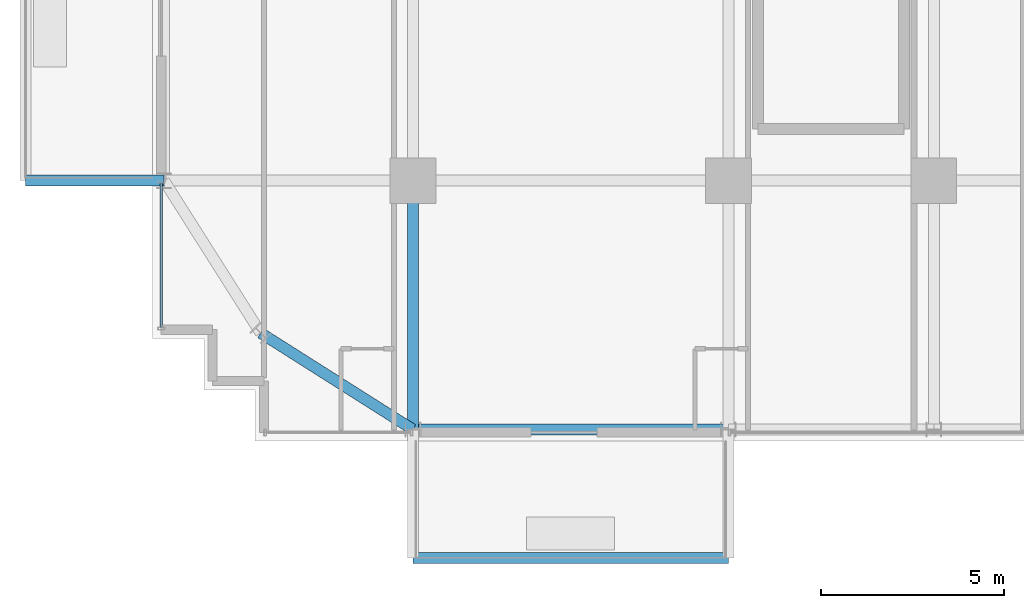
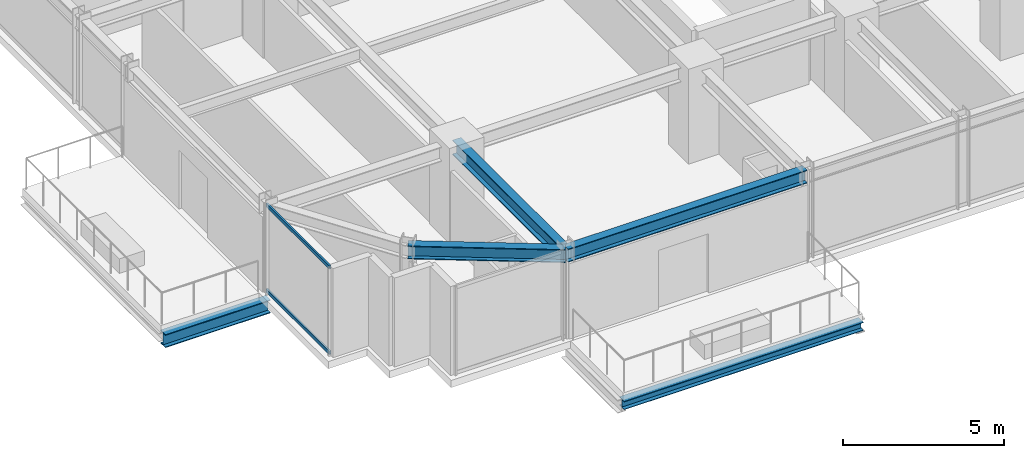
# One storey, part 3 of 32: 5 beams, 2 members, 1 element without a shape of its own.
"""IFC4 building model written with IfcOpenShell, lengths in metres."""

from ifc_helpers import new_model, si_unit, direction, frame, origin, origin_2d, place, context, subcontext, project, spatial, hollow_rectangle, i_section, extrude, source, transform, mapped, material, material_profile, profile_set, type_object, element, aggregate, save


model = new_model("IFC4")

# Units and contexts
model_context = context("Model", 3, precision=1e-05, world=origin(), true_north=direction((0.0, 1.0)))
body_context = subcontext(model_context, "Body", "Model", "MODEL_VIEW")
ifc_project = project(units=[si_unit("LENGTHUNIT", "METRE"), si_unit("AREAUNIT", "SQUARE_METRE"), si_unit("VOLUMEUNIT", "CUBIC_METRE"), si_unit("PLANEANGLEUNIT", "RADIAN"), si_unit("MASSUNIT", "GRAM", prefix="KILO")], contexts=[model_context])

# Site, building, storey
site_placement = place(None, origin())
site = spatial("IfcSite", under=ifc_project, at=site_placement, CompositionType="ELEMENT")
building_placement = place(site_placement, origin())
building = spatial("IfcBuilding", under=site, at=building_placement, Name="Nahalor Promenade Grand Hotel", CompositionType="ELEMENT")
storey_placement = place(building_placement, frame((0.0, 0.0, 110.199951171875)))
storey = spatial("IfcBuildingStorey", under=building, at=storey_placement, Name="L27", CompositionType="ELEMENT", Elevation=110.199951171875)

# Beams
ifc_material_1 = material(Name="Steel S355JR", Category="steel")
ifc_material_profile_1 = material_profile(ifc_material_1, i_section(OverallWidth=0.3, OverallDepth=0.32, WebThickness=0.0115, FlangeThickness=0.0205, at=origin_2d()), Name="HEB 320")
ifc_profile_set_1 = profile_set([ifc_material_profile_1], Name="Steel S355JR")
beam_type_1 = type_object("IfcBeamType", Name="Beam-BalcEdge-HEB320", PredefinedType="SPANDREL", material=ifc_profile_set_1)
shared_shape_1 = source(origin(), body_context, "Body", "SweptSolid", [
    extrude(i_section(OverallWidth=0.3, OverallDepth=0.32, WebThickness=0.0115, FlangeThickness=0.0205, at=origin_2d()), origin(), (0.0, 0.0, 1.0), 8.60009765625),
])
beam_1_placement = place(storey_placement, frame((-17.0, -27.280029296875, -0.43994140625), z_axis=(1.0, 0.0, 0.0), x_axis=(0.0, 1.0, 0.0)))
element("IfcBeam", 1, at=beam_1_placement, inside=storey, type_object=beam_type_1, Name="BM-L27-BC-01-F", PredefinedType="SPANDREL", context=body_context, shape_type="MappedRepresentation", body=[
    mapped(shared_shape_1, transform((0.0, 0.0, 0.0), scale=1.0)),
])
ifc_material_profile_2 = material_profile(ifc_material_1, i_section(OverallWidth=0.3, OverallDepth=0.5, WebThickness=0.0145, FlangeThickness=0.028, at=origin_2d()), Name="HEB 500")
ifc_profile_set_2 = profile_set([ifc_material_profile_2], Name="Steel S355JR")
beam_type_2 = type_object("IfcBeamType", Name="Beam-Outrigger-HEB500", PredefinedType="BEAM", material=ifc_profile_set_2)
shared_shape_2 = source(origin(), body_context, "Body", "SweptSolid", [
    extrude(i_section(OverallWidth=0.3, OverallDepth=0.5, WebThickness=0.0145, FlangeThickness=0.028, at=origin_2d()), origin(), (0.0, 0.0, 1.0), 3.780029296875),
])
beam_2_placement = place(storey_placement, frame((-27.56005859375, -17.0, -0.530029296875), z_axis=(1.0, 0.0, 0.0), x_axis=(0.0, 1.0, 0.0)))
element("IfcBeam", 2, at=beam_2_placement, inside=storey, type_object=beam_type_2, Name="BM-L27-BC-02-1", PredefinedType="BEAM", context=body_context, shape_type="MappedRepresentation", body=[
    mapped(shared_shape_2, transform((0.0, 0.0, 0.0), scale=1.0)),
])
ifc_material_profile_3 = material_profile(ifc_material_1, i_section(OverallWidth=0.3, OverallDepth=0.5, WebThickness=0.0145, FlangeThickness=0.028, at=origin_2d()), Name="HEB 500")
ifc_profile_set_3 = profile_set([ifc_material_profile_3], Name="Steel S355JR")
beam_type_3 = type_object("IfcBeamType", Name="Beam-Spandrel-HEB500", PredefinedType="SPANDREL", material=ifc_profile_set_3)
shared_shape_3 = source(origin(), body_context, "Body", "SweptSolid", [
    extrude(i_section(OverallWidth=0.3, OverallDepth=0.5, WebThickness=0.0145, FlangeThickness=0.028, at=origin_2d()), origin(), (0.0, 0.0, 1.0), 8.60009765625),
])
beam_3_placement = place(storey_placement, frame((-17.0, -23.780029296875, 3.130126953125), z_axis=(1.0, 0.0, 0.0), x_axis=(0.0, 1.0, 0.0)))
element("IfcBeam", 3, at=beam_3_placement, inside=storey, type_object=beam_type_3, Name="BM-L27-SP-S-0", PredefinedType="SPANDREL", context=body_context, shape_type="MappedRepresentation", body=[
    mapped(shared_shape_3, transform((0.0, 0.0, 0.0), scale=1.0)),
])
shared_shape_4 = source(origin(), body_context, "Body", "SweptSolid", [
    extrude(i_section(OverallWidth=0.3, OverallDepth=0.5, WebThickness=0.0145, FlangeThickness=0.028, at=origin_2d()), origin(), (0.0, 0.0, 1.0), 4.9130859375),
])
beam_4_placement = place(storey_placement, frame((-17.0, -23.780029296875, 3.130126953125), z_axis=(-0.844648325505, 0.535321591403, 0.0), x_axis=(-0.535321591403, -0.844648325505, 0.0)))
element("IfcBeam", 4, at=beam_4_placement, inside=storey, type_object=beam_type_3, Name="BM-L27-SPC-SW-1", PredefinedType="SPANDREL", context=body_context, shape_type="MappedRepresentation", body=[
    mapped(shared_shape_4, transform((0.0, 0.0, 0.0), scale=1.0)),
])
ifc_material_profile_4 = material_profile(ifc_material_1, i_section(OverallWidth=0.3, OverallDepth=0.55, WebThickness=0.015, FlangeThickness=0.029, at=origin_2d()), Name="HEB 550")
ifc_profile_set_4 = profile_set([ifc_material_profile_4], Name="Steel S355JR")
beam_type_4 = type_object("IfcBeamType", Name="Beam-Girder-HEB550", PredefinedType="BEAM", material=ifc_profile_set_4)
shared_shape_5 = source(origin(), body_context, "Body", "SweptSolid", [
    extrude(i_section(OverallWidth=0.3, OverallDepth=0.55, WebThickness=0.015, FlangeThickness=0.029, at=origin_2d()), origin(), (0.0, 0.0, 1.0), 6.780029296875),
])
beam_5_placement = place(storey_placement, frame((-17.0, -23.780029296875, 3.10498046875), z_axis=(0.0, 1.0, 0.0), x_axis=(-1.0, 0.0, 0.0)))
element("IfcBeam", 5, at=beam_5_placement, inside=storey, type_object=beam_type_4, Name="BM-L27-GY-0-0", PredefinedType="BEAM", context=body_context, shape_type="MappedRepresentation", body=[
    mapped(shared_shape_5, transform((0.0, 0.0, 0.0), scale=1.0)),
])

# Curtain wall, members
ifc_material_2 = material(Name="Anodised Bronze Aluminium EN AW-6063 T6", Category="aluminium")
curtain_wall_type = type_object("IfcCurtainWallType", Name="CW2 Typical Hotel Flush Bronze Unitised Curtain Wall", PredefinedType="USERDEFINED", material=ifc_material_2)
curtain_wall_placement = place(storey_placement, origin())
curtain_wall = element("IfcCurtainWall", 6, at=curtain_wall_placement, inside=storey, type_object=curtain_wall_type, Name="L27 Curtain Wall CW-L27-W-1", ObjectType="UNITISED_CURTAIN_WALL", PredefinedType="USERDEFINED")
ifc_material_profile_5 = material_profile(ifc_material_2, hollow_rectangle(XDim=0.065, YDim=0.13, WallThickness=0.004, at=origin_2d()), Name="CWT 65x130x4")
ifc_profile_set_5 = profile_set([ifc_material_profile_5], Name="Anodised Bronze Aluminium EN AW-6063 T6")
member_type = type_object("IfcMemberType", Name="CWT2 Typical Bronze Transom 65x130", PredefinedType="USERDEFINED", material=ifc_profile_set_5)
shared_shape_6 = source(origin(), body_context, "Body", "SweptSolid", [
    extrude(hollow_rectangle(XDim=0.065, YDim=0.13, WallThickness=0.004, at=origin_2d()), origin(), (0.0, 0.0, 1.0), 3.93017578125),
])
member_1_placement = place(storey_placement, frame((-23.860107421875, -20.9951171875, 0.06494140625), z_axis=(0.0, 1.0, 0.0), x_axis=(-1.0, 0.0, 0.0)))
member_1 = element("IfcMember", 7, at=member_1_placement, type_object=member_type, Name="CW-L27-W-1 Transom 0-0", ObjectType="TRANSOM", PredefinedType="USERDEFINED", context=body_context, shape_type="MappedRepresentation", body=[
    mapped(shared_shape_6, transform((0.0, 0.0, 0.0), scale=1.0)),
])
member_2_placement = place(storey_placement, frame((-23.860107421875, -20.9951171875, 3.31494140625), z_axis=(0.0, 1.0, 0.0), x_axis=(-1.0, 0.0, 0.0)))
member_2 = element("IfcMember", 8, at=member_2_placement, type_object=member_type, Name="CW-L27-W-1 Transom 0-1", ObjectType="TRANSOM", PredefinedType="USERDEFINED", context=body_context, shape_type="MappedRepresentation", body=[
    mapped(shared_shape_6, transform((0.0, 0.0, 0.0), scale=1.0)),
])
aggregate(curtain_wall, [member_1, member_2])

save(model, "model.ifc")
